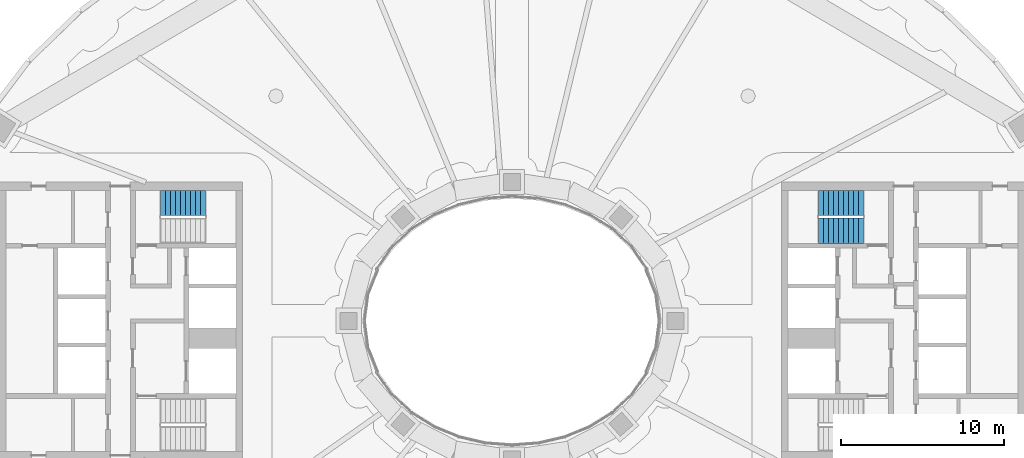
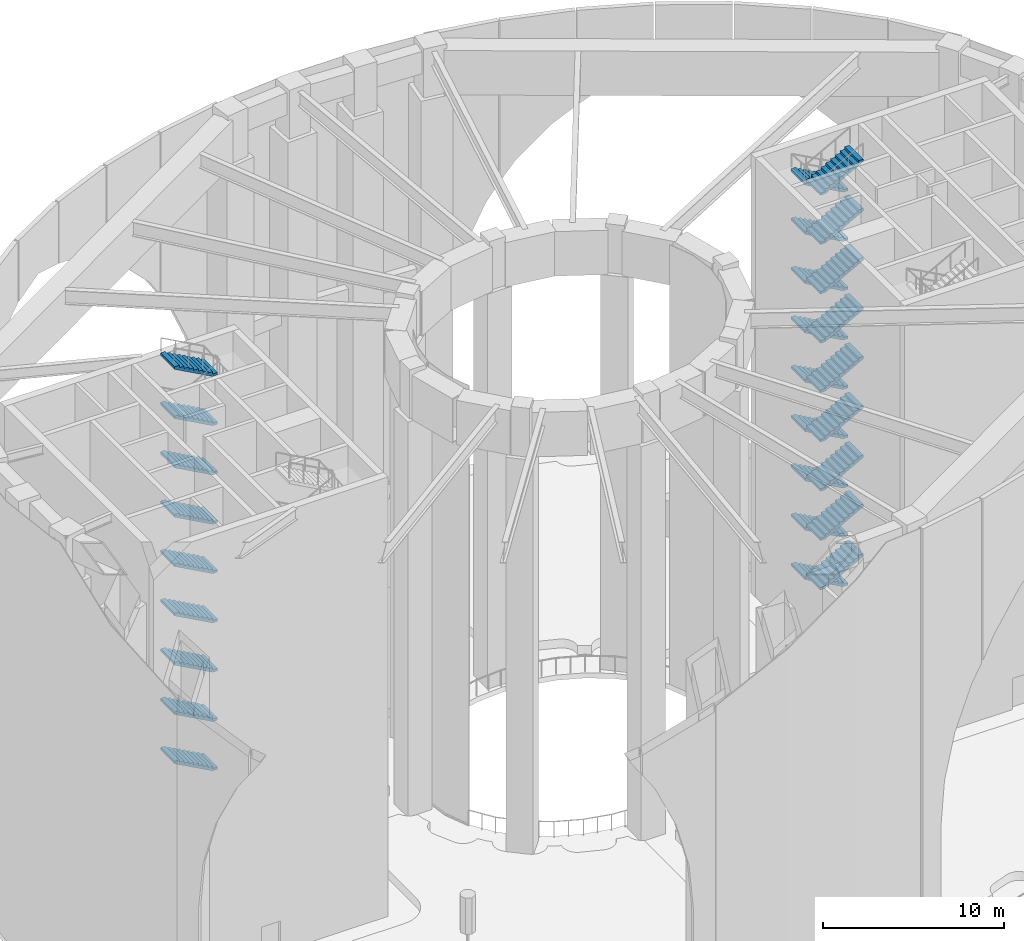
# One storey, part 7 of 26: 27 stair flights, 2 elements without a shape of their own.
"""IFC4 building model written with IfcOpenShell, lengths in metres."""

from ifc_helpers import new_model, si_unit, direction, frame, origin, place, context, subcontext, project, spatial, polyline, outline, extrude, material, type_object, element, aggregate, save


model = new_model("IFC4")

# Units and contexts
model_context = context("Model", 3, precision=1e-05, world=origin(), true_north=direction((0.0, 1.0)))
body_context = subcontext(model_context, "Body", "Model", "MODEL_VIEW")
ifc_project = project(units=[si_unit("LENGTHUNIT", "METRE"), si_unit("AREAUNIT", "SQUARE_METRE"), si_unit("VOLUMEUNIT", "CUBIC_METRE"), si_unit("PLANEANGLEUNIT", "RADIAN"), si_unit("MASSUNIT", "GRAM", prefix="KILO")], contexts=[model_context])

# Site, building, storey
site_placement = place(None, origin())
site = spatial("IfcSite", under=ifc_project, at=site_placement, CompositionType="ELEMENT")
building_placement = place(site_placement, origin())
building = spatial("IfcBuilding", under=site, at=building_placement, Name="Noorbagh Ring Tower", CompositionType="ELEMENT")
storey_placement = place(building_placement, frame((0.0, 0.0, 203.5)))
storey = spatial("IfcBuildingStorey", under=building, at=storey_placement, Name="L47", CompositionType="ELEMENT", Elevation=203.5)

# Stair, stair flights
ifc_material_1 = material(Name="Concrete C40/50", Category="concrete")
stair_type = type_object("IfcStairType", Name="CORE-STAIR", PredefinedType="HALF_TURN_STAIR", material=ifc_material_1)
stair_1_placement = place(storey_placement, origin())
stair_1 = element("IfcStair", 1, at=stair_1_placement, inside=storey, type_object=stair_type, Name="L47 Exit stair ST1", PredefinedType="HALF_TURN_STAIR")
ifc_material_2 = material(Name="Concrete C40/50", Category="concrete")
stair_flight_type = type_object("IfcStairFlightType", Name="CORE-STAIR-FLIGHT", PredefinedType="STRAIGHT", material=ifc_material_2)
stair_flight_1_placement = place(storey_placement, frame((-18.784912109375, 7.22509765625, 1.666748046875), z_axis=(0.0, 0.0, 1.0), x_axis=(-1.0, 0.0, 0.0)))
stair_flight_1 = element("IfcStairFlight", 2, at=stair_flight_1_placement, type_object=stair_flight_type, Name="ST1 flight 2", NumberOfRisers=10, NumberOfTreads=9, PredefinedType="STRAIGHT", RiserHeight=0.166666667, TreadLength=0.305, context=body_context, shape_type="SweptSolid", body=[
    extrude(outline(polyline([(0.0, 0.0), (0.0, 0.166748046875), (0.304931640625, 0.166748046875), (0.304931640625, 0.333251953125), (0.610107421875, 0.333251953125), (0.610107421875, 0.5), (0.9150390625, 0.5), (0.9150390625, 0.666748046875), (1.219970703125, 0.666748046875), (1.219970703125, 0.833251953125), (1.52490234375, 0.833251953125), (1.52490234375, 1.0), (1.830078125, 1.0), (1.830078125, 1.166748046875), (2.135009765625, 1.166748046875), (2.135009765625, 1.333251953125), (2.43994140625, 1.333251953125), (2.43994140625, 1.5), (2.7451171875, 1.5), (2.7451171875, 1.666748046875), (2.7451171875, 1.3291015625), (0.3125, 0.0), (0.0, 0.0)])), frame((0.0, 0.77490234375, 0.0), z_axis=(0.0, -1.0, 0.0), x_axis=(1.0, 0.0, 0.0)), (0.0, 0.0, 1.0), 1.550048828125),
])
stair_flight_2_placement = place(storey_placement, frame((-18.784912109375, 7.22509765625, 5.0), z_axis=(0.0, 0.0, 1.0), x_axis=(-1.0, 0.0, 0.0)))
stair_flight_2 = element("IfcStairFlight", 3, at=stair_flight_2_placement, type_object=stair_flight_type, Name="ST1 flight 4", NumberOfRisers=10, NumberOfTreads=9, PredefinedType="STRAIGHT", RiserHeight=0.166666667, TreadLength=0.305, context=body_context, shape_type="SweptSolid", body=[
    extrude(outline(polyline([(0.0, 0.0), (0.0, 0.166748046875), (0.304931640625, 0.166748046875), (0.304931640625, 0.333251953125), (0.610107421875, 0.333251953125), (0.610107421875, 0.5), (0.9150390625, 0.5), (0.9150390625, 0.666748046875), (1.219970703125, 0.666748046875), (1.219970703125, 0.833251953125), (1.52490234375, 0.833251953125), (1.52490234375, 1.0), (1.830078125, 1.0), (1.830078125, 1.166748046875), (2.135009765625, 1.166748046875), (2.135009765625, 1.333251953125), (2.43994140625, 1.333251953125), (2.43994140625, 1.5), (2.7451171875, 1.5), (2.7451171875, 1.666748046875), (2.7451171875, 1.3291015625), (0.3125, 0.0), (0.0, 0.0)])), frame((0.0, 0.77490234375, 0.0), z_axis=(0.0, -1.0, 0.0), x_axis=(1.0, 0.0, 0.0)), (0.0, 0.0, 1.0), 1.550048828125),
])
stair_flight_3_placement = place(storey_placement, frame((-18.784912109375, 7.22509765625, 8.333251953125), z_axis=(0.0, 0.0, 1.0), x_axis=(-1.0, 0.0, 0.0)))
stair_flight_3 = element("IfcStairFlight", 4, at=stair_flight_3_placement, type_object=stair_flight_type, Name="ST1 flight 6", NumberOfRisers=10, NumberOfTreads=9, PredefinedType="STRAIGHT", RiserHeight=0.166666667, TreadLength=0.305, context=body_context, shape_type="SweptSolid", body=[
    extrude(outline(polyline([(0.0, 0.0), (0.0, 0.166748046875), (0.304931640625, 0.166748046875), (0.304931640625, 0.333251953125), (0.610107421875, 0.333251953125), (0.610107421875, 0.5), (0.9150390625, 0.5), (0.9150390625, 0.666748046875), (1.219970703125, 0.666748046875), (1.219970703125, 0.833251953125), (1.52490234375, 0.833251953125), (1.52490234375, 1.0), (1.830078125, 1.0), (1.830078125, 1.166748046875), (2.135009765625, 1.166748046875), (2.135009765625, 1.333251953125), (2.43994140625, 1.333251953125), (2.43994140625, 1.5), (2.7451171875, 1.5), (2.7451171875, 1.666748046875), (2.7451171875, 1.3291015625), (0.3125, 0.0), (0.0, 0.0)])), frame((0.0, 0.77490234375, 0.0), z_axis=(0.0, -1.0, 0.0), x_axis=(1.0, 0.0, 0.0)), (0.0, 0.0, 1.0), 1.550048828125),
])
stair_flight_4_placement = place(storey_placement, frame((-18.784912109375, 7.22509765625, 11.666748046875), z_axis=(0.0, 0.0, 1.0), x_axis=(-1.0, 0.0, 0.0)))
stair_flight_4 = element("IfcStairFlight", 5, at=stair_flight_4_placement, type_object=stair_flight_type, Name="ST1 flight 8", NumberOfRisers=10, NumberOfTreads=9, PredefinedType="STRAIGHT", RiserHeight=0.166666667, TreadLength=0.305, context=body_context, shape_type="SweptSolid", body=[
    extrude(outline(polyline([(0.0, 0.0), (0.0, 0.166748046875), (0.304931640625, 0.166748046875), (0.304931640625, 0.333251953125), (0.610107421875, 0.333251953125), (0.610107421875, 0.5), (0.9150390625, 0.5), (0.9150390625, 0.666748046875), (1.219970703125, 0.666748046875), (1.219970703125, 0.833251953125), (1.52490234375, 0.833251953125), (1.52490234375, 1.0), (1.830078125, 1.0), (1.830078125, 1.166748046875), (2.135009765625, 1.166748046875), (2.135009765625, 1.333251953125), (2.43994140625, 1.333251953125), (2.43994140625, 1.5), (2.7451171875, 1.5), (2.7451171875, 1.666748046875), (2.7451171875, 1.3291015625), (0.3125, 0.0), (0.0, 0.0)])), frame((0.0, 0.77490234375, 0.0), z_axis=(0.0, -1.0, 0.0), x_axis=(1.0, 0.0, 0.0)), (0.0, 0.0, 1.0), 1.550048828125),
])
stair_flight_5_placement = place(storey_placement, frame((-18.784912109375, 7.22509765625, 15.0), z_axis=(0.0, 0.0, 1.0), x_axis=(-1.0, 0.0, 0.0)))
stair_flight_5 = element("IfcStairFlight", 6, at=stair_flight_5_placement, type_object=stair_flight_type, Name="ST1 flight 10", NumberOfRisers=10, NumberOfTreads=9, PredefinedType="STRAIGHT", RiserHeight=0.166666667, TreadLength=0.305, context=body_context, shape_type="SweptSolid", body=[
    extrude(outline(polyline([(0.0, 0.0), (0.0, 0.166748046875), (0.304931640625, 0.166748046875), (0.304931640625, 0.333251953125), (0.610107421875, 0.333251953125), (0.610107421875, 0.5), (0.9150390625, 0.5), (0.9150390625, 0.666748046875), (1.219970703125, 0.666748046875), (1.219970703125, 0.833251953125), (1.52490234375, 0.833251953125), (1.52490234375, 1.0), (1.830078125, 1.0), (1.830078125, 1.166748046875), (2.135009765625, 1.166748046875), (2.135009765625, 1.333251953125), (2.43994140625, 1.333251953125), (2.43994140625, 1.5), (2.7451171875, 1.5), (2.7451171875, 1.666748046875), (2.7451171875, 1.3291015625), (0.3125, 0.0), (0.0, 0.0)])), frame((0.0, 0.77490234375, 0.0), z_axis=(0.0, -1.0, 0.0), x_axis=(1.0, 0.0, 0.0)), (0.0, 0.0, 1.0), 1.550048828125),
])
stair_flight_6_placement = place(storey_placement, frame((-18.784912109375, 7.22509765625, 18.333251953125), z_axis=(0.0, 0.0, 1.0), x_axis=(-1.0, 0.0, 0.0)))
stair_flight_6 = element("IfcStairFlight", 7, at=stair_flight_6_placement, type_object=stair_flight_type, Name="ST1 flight 12", NumberOfRisers=10, NumberOfTreads=9, PredefinedType="STRAIGHT", RiserHeight=0.166666667, TreadLength=0.305, context=body_context, shape_type="SweptSolid", body=[
    extrude(outline(polyline([(0.0, 0.0), (0.0, 0.166748046875), (0.304931640625, 0.166748046875), (0.304931640625, 0.333251953125), (0.610107421875, 0.333251953125), (0.610107421875, 0.5), (0.9150390625, 0.5), (0.9150390625, 0.666748046875), (1.219970703125, 0.666748046875), (1.219970703125, 0.833251953125), (1.52490234375, 0.833251953125), (1.52490234375, 1.0), (1.830078125, 1.0), (1.830078125, 1.166748046875), (2.135009765625, 1.166748046875), (2.135009765625, 1.333251953125), (2.43994140625, 1.333251953125), (2.43994140625, 1.5), (2.7451171875, 1.5), (2.7451171875, 1.666748046875), (2.7451171875, 1.3291015625), (0.3125, 0.0), (0.0, 0.0)])), frame((0.0, 0.77490234375, 0.0), z_axis=(0.0, -1.0, 0.0), x_axis=(1.0, 0.0, 0.0)), (0.0, 0.0, 1.0), 1.550048828125),
])
stair_flight_7_placement = place(storey_placement, frame((-18.784912109375, 7.22509765625, 21.666748046875), z_axis=(0.0, 0.0, 1.0), x_axis=(-1.0, 0.0, 0.0)))
stair_flight_7 = element("IfcStairFlight", 8, at=stair_flight_7_placement, type_object=stair_flight_type, Name="ST1 flight 14", NumberOfRisers=10, NumberOfTreads=9, PredefinedType="STRAIGHT", RiserHeight=0.166666667, TreadLength=0.305, context=body_context, shape_type="SweptSolid", body=[
    extrude(outline(polyline([(0.0, 0.0), (0.0, 0.166748046875), (0.304931640625, 0.166748046875), (0.304931640625, 0.333251953125), (0.610107421875, 0.333251953125), (0.610107421875, 0.5), (0.9150390625, 0.5), (0.9150390625, 0.666748046875), (1.219970703125, 0.666748046875), (1.219970703125, 0.833251953125), (1.52490234375, 0.833251953125), (1.52490234375, 1.0), (1.830078125, 1.0), (1.830078125, 1.166748046875), (2.135009765625, 1.166748046875), (2.135009765625, 1.333251953125), (2.43994140625, 1.333251953125), (2.43994140625, 1.5), (2.7451171875, 1.5), (2.7451171875, 1.666748046875), (2.7451171875, 1.3291015625), (0.3125, 0.0), (0.0, 0.0)])), frame((0.0, 0.77490234375, 0.0), z_axis=(0.0, -1.0, 0.0), x_axis=(1.0, 0.0, 0.0)), (0.0, 0.0, 1.0), 1.550048828125),
])
stair_flight_8_placement = place(storey_placement, frame((-18.784912109375, 7.22509765625, 25.0), z_axis=(0.0, 0.0, 1.0), x_axis=(-1.0, 0.0, 0.0)))
stair_flight_8 = element("IfcStairFlight", 9, at=stair_flight_8_placement, type_object=stair_flight_type, Name="ST1 flight 16", NumberOfRisers=10, NumberOfTreads=9, PredefinedType="STRAIGHT", RiserHeight=0.166666667, TreadLength=0.305, context=body_context, shape_type="SweptSolid", body=[
    extrude(outline(polyline([(0.0, 0.0), (0.0, 0.166748046875), (0.304931640625, 0.166748046875), (0.304931640625, 0.333251953125), (0.610107421875, 0.333251953125), (0.610107421875, 0.5), (0.9150390625, 0.5), (0.9150390625, 0.666748046875), (1.219970703125, 0.666748046875), (1.219970703125, 0.833251953125), (1.52490234375, 0.833251953125), (1.52490234375, 1.0), (1.830078125, 1.0), (1.830078125, 1.166748046875), (2.135009765625, 1.166748046875), (2.135009765625, 1.333251953125), (2.43994140625, 1.333251953125), (2.43994140625, 1.5), (2.7451171875, 1.5), (2.7451171875, 1.666748046875), (2.7451171875, 1.3291015625), (0.3125, 0.0), (0.0, 0.0)])), frame((0.0, 0.77490234375, 0.0), z_axis=(0.0, -1.0, 0.0), x_axis=(1.0, 0.0, 0.0)), (0.0, 0.0, 1.0), 1.550048828125),
])
stair_flight_9_placement = place(storey_placement, frame((-18.784912109375, 7.22509765625, 28.333251953125), z_axis=(0.0, 0.0, 1.0), x_axis=(-1.0, 0.0, 0.0)))
stair_flight_9 = element("IfcStairFlight", 10, at=stair_flight_9_placement, type_object=stair_flight_type, Name="ST1 flight 18", NumberOfRisers=10, NumberOfTreads=9, PredefinedType="STRAIGHT", RiserHeight=0.166666667, TreadLength=0.305, context=body_context, shape_type="SweptSolid", body=[
    extrude(outline(polyline([(0.0, 0.0), (0.0, 0.166748046875), (0.304931640625, 0.166748046875), (0.304931640625, 0.333251953125), (0.610107421875, 0.333251953125), (0.610107421875, 0.5), (0.9150390625, 0.5), (0.9150390625, 0.666748046875), (1.219970703125, 0.666748046875), (1.219970703125, 0.833251953125), (1.52490234375, 0.833251953125), (1.52490234375, 1.0), (1.830078125, 1.0), (1.830078125, 1.166748046875), (2.135009765625, 1.166748046875), (2.135009765625, 1.333251953125), (2.43994140625, 1.333251953125), (2.43994140625, 1.5), (2.7451171875, 1.5), (2.7451171875, 1.666748046875), (2.7451171875, 1.3291015625), (0.3125, 0.0), (0.0, 0.0)])), frame((0.0, 0.77490234375, 0.0), z_axis=(0.0, -1.0, 0.0), x_axis=(1.0, 0.0, 0.0)), (0.0, 0.0, 1.0), 1.550048828125),
])
aggregate(stair_1, [stair_flight_1, stair_flight_2, stair_flight_3, stair_flight_4, stair_flight_5, stair_flight_6, stair_flight_7, stair_flight_8, stair_flight_9])

stair_2_placement = place(storey_placement, origin())
stair_2 = element("IfcStair", 11, at=stair_2_placement, inside=storey, type_object=stair_type, Name="L47 Exit stair ST3", PredefinedType="HALF_TURN_STAIR")
stair_flight_10_placement = place(storey_placement, frame((21.530029296875, 7.22509765625, 0.0), z_axis=(0.0, 0.0, 1.0), x_axis=(-1.0, 0.0, 0.0)))
stair_flight_10 = element("IfcStairFlight", 12, at=stair_flight_10_placement, type_object=stair_flight_type, Name="ST3 flight 1", NumberOfRisers=10, NumberOfTreads=9, PredefinedType="STRAIGHT", RiserHeight=0.166666667, TreadLength=0.305, context=body_context, shape_type="SweptSolid", body=[
    extrude(outline(polyline([(0.0, 0.0), (0.0, 0.166748046875), (0.304931640625, 0.166748046875), (0.304931640625, 0.333251953125), (0.610107421875, 0.333251953125), (0.610107421875, 0.5), (0.9150390625, 0.5), (0.9150390625, 0.666748046875), (1.219970703125, 0.666748046875), (1.219970703125, 0.833251953125), (1.52490234375, 0.833251953125), (1.52490234375, 1.0), (1.830078125, 1.0), (1.830078125, 1.166748046875), (2.135009765625, 1.166748046875), (2.135009765625, 1.333251953125), (2.43994140625, 1.333251953125), (2.43994140625, 1.5), (2.7451171875, 1.5), (2.7451171875, 1.666748046875), (2.7451171875, 1.3291015625), (0.3125, 0.0), (0.0, 0.0)])), frame((0.0, 0.77490234375, 0.0), z_axis=(0.0, -1.0, 0.0), x_axis=(1.0, 0.0, 0.0)), (0.0, 0.0, 1.0), 1.550048828125),
])
stair_flight_11_placement = place(storey_placement, frame((18.784912109375, 5.52490234375, 1.666748046875), z_axis=(0.0, 0.0, 1.0), x_axis=(1.0, 0.0, 0.0)))
stair_flight_11 = element("IfcStairFlight", 13, at=stair_flight_11_placement, type_object=stair_flight_type, Name="ST3 flight 2", NumberOfRisers=10, NumberOfTreads=9, PredefinedType="STRAIGHT", RiserHeight=0.166666667, TreadLength=0.305, context=body_context, shape_type="SweptSolid", body=[
    extrude(outline(polyline([(0.0, 0.0), (0.0, 0.166748046875), (0.304931640625, 0.166748046875), (0.304931640625, 0.333251953125), (0.610107421875, 0.333251953125), (0.610107421875, 0.5), (0.9150390625, 0.5), (0.9150390625, 0.666748046875), (1.219970703125, 0.666748046875), (1.219970703125, 0.833251953125), (1.52490234375, 0.833251953125), (1.52490234375, 1.0), (1.830078125, 1.0), (1.830078125, 1.166748046875), (2.135009765625, 1.166748046875), (2.135009765625, 1.333251953125), (2.43994140625, 1.333251953125), (2.43994140625, 1.5), (2.7451171875, 1.5), (2.7451171875, 1.666748046875), (2.7451171875, 1.3291015625), (0.3125, 0.0), (0.0, 0.0)])), frame((0.0, 0.77490234375, 0.0), z_axis=(0.0, -1.0, 0.0), x_axis=(1.0, 0.0, 0.0)), (0.0, 0.0, 1.0), 1.550048828125),
])
stair_flight_12_placement = place(storey_placement, frame((21.530029296875, 7.22509765625, 3.333251953125), z_axis=(0.0, 0.0, 1.0), x_axis=(-1.0, 0.0, 0.0)))
stair_flight_12 = element("IfcStairFlight", 14, at=stair_flight_12_placement, type_object=stair_flight_type, Name="ST3 flight 3", NumberOfRisers=10, NumberOfTreads=9, PredefinedType="STRAIGHT", RiserHeight=0.166666667, TreadLength=0.305, context=body_context, shape_type="SweptSolid", body=[
    extrude(outline(polyline([(0.0, 0.0), (0.0, 0.166748046875), (0.304931640625, 0.166748046875), (0.304931640625, 0.333251953125), (0.610107421875, 0.333251953125), (0.610107421875, 0.5), (0.9150390625, 0.5), (0.9150390625, 0.666748046875), (1.219970703125, 0.666748046875), (1.219970703125, 0.833251953125), (1.52490234375, 0.833251953125), (1.52490234375, 1.0), (1.830078125, 1.0), (1.830078125, 1.166748046875), (2.135009765625, 1.166748046875), (2.135009765625, 1.333251953125), (2.43994140625, 1.333251953125), (2.43994140625, 1.5), (2.7451171875, 1.5), (2.7451171875, 1.666748046875), (2.7451171875, 1.3291015625), (0.3125, 0.0), (0.0, 0.0)])), frame((0.0, 0.77490234375, 0.0), z_axis=(0.0, -1.0, 0.0), x_axis=(1.0, 0.0, 0.0)), (0.0, 0.0, 1.0), 1.550048828125),
])
stair_flight_13_placement = place(storey_placement, frame((18.784912109375, 5.52490234375, 5.0), z_axis=(0.0, 0.0, 1.0), x_axis=(1.0, 0.0, 0.0)))
stair_flight_13 = element("IfcStairFlight", 15, at=stair_flight_13_placement, type_object=stair_flight_type, Name="ST3 flight 4", NumberOfRisers=10, NumberOfTreads=9, PredefinedType="STRAIGHT", RiserHeight=0.166666667, TreadLength=0.305, context=body_context, shape_type="SweptSolid", body=[
    extrude(outline(polyline([(0.0, 0.0), (0.0, 0.166748046875), (0.304931640625, 0.166748046875), (0.304931640625, 0.333251953125), (0.610107421875, 0.333251953125), (0.610107421875, 0.5), (0.9150390625, 0.5), (0.9150390625, 0.666748046875), (1.219970703125, 0.666748046875), (1.219970703125, 0.833251953125), (1.52490234375, 0.833251953125), (1.52490234375, 1.0), (1.830078125, 1.0), (1.830078125, 1.166748046875), (2.135009765625, 1.166748046875), (2.135009765625, 1.333251953125), (2.43994140625, 1.333251953125), (2.43994140625, 1.5), (2.7451171875, 1.5), (2.7451171875, 1.666748046875), (2.7451171875, 1.3291015625), (0.3125, 0.0), (0.0, 0.0)])), frame((0.0, 0.77490234375, 0.0), z_axis=(0.0, -1.0, 0.0), x_axis=(1.0, 0.0, 0.0)), (0.0, 0.0, 1.0), 1.550048828125),
])
stair_flight_14_placement = place(storey_placement, frame((21.530029296875, 7.22509765625, 6.666748046875), z_axis=(0.0, 0.0, 1.0), x_axis=(-1.0, 0.0, 0.0)))
stair_flight_14 = element("IfcStairFlight", 16, at=stair_flight_14_placement, type_object=stair_flight_type, Name="ST3 flight 5", NumberOfRisers=10, NumberOfTreads=9, PredefinedType="STRAIGHT", RiserHeight=0.166666667, TreadLength=0.305, context=body_context, shape_type="SweptSolid", body=[
    extrude(outline(polyline([(0.0, 0.0), (0.0, 0.166748046875), (0.304931640625, 0.166748046875), (0.304931640625, 0.333251953125), (0.610107421875, 0.333251953125), (0.610107421875, 0.5), (0.9150390625, 0.5), (0.9150390625, 0.666748046875), (1.219970703125, 0.666748046875), (1.219970703125, 0.833251953125), (1.52490234375, 0.833251953125), (1.52490234375, 1.0), (1.830078125, 1.0), (1.830078125, 1.166748046875), (2.135009765625, 1.166748046875), (2.135009765625, 1.333251953125), (2.43994140625, 1.333251953125), (2.43994140625, 1.5), (2.7451171875, 1.5), (2.7451171875, 1.666748046875), (2.7451171875, 1.3291015625), (0.3125, 0.0), (0.0, 0.0)])), frame((0.0, 0.77490234375, 0.0), z_axis=(0.0, -1.0, 0.0), x_axis=(1.0, 0.0, 0.0)), (0.0, 0.0, 1.0), 1.550048828125),
])
stair_flight_15_placement = place(storey_placement, frame((18.784912109375, 5.52490234375, 8.333251953125), z_axis=(0.0, 0.0, 1.0), x_axis=(1.0, 0.0, 0.0)))
stair_flight_15 = element("IfcStairFlight", 17, at=stair_flight_15_placement, type_object=stair_flight_type, Name="ST3 flight 6", NumberOfRisers=10, NumberOfTreads=9, PredefinedType="STRAIGHT", RiserHeight=0.166666667, TreadLength=0.305, context=body_context, shape_type="SweptSolid", body=[
    extrude(outline(polyline([(0.0, 0.0), (0.0, 0.166748046875), (0.304931640625, 0.166748046875), (0.304931640625, 0.333251953125), (0.610107421875, 0.333251953125), (0.610107421875, 0.5), (0.9150390625, 0.5), (0.9150390625, 0.666748046875), (1.219970703125, 0.666748046875), (1.219970703125, 0.833251953125), (1.52490234375, 0.833251953125), (1.52490234375, 1.0), (1.830078125, 1.0), (1.830078125, 1.166748046875), (2.135009765625, 1.166748046875), (2.135009765625, 1.333251953125), (2.43994140625, 1.333251953125), (2.43994140625, 1.5), (2.7451171875, 1.5), (2.7451171875, 1.666748046875), (2.7451171875, 1.3291015625), (0.3125, 0.0), (0.0, 0.0)])), frame((0.0, 0.77490234375, 0.0), z_axis=(0.0, -1.0, 0.0), x_axis=(1.0, 0.0, 0.0)), (0.0, 0.0, 1.0), 1.550048828125),
])
stair_flight_16_placement = place(storey_placement, frame((21.530029296875, 7.22509765625, 10.0), z_axis=(0.0, 0.0, 1.0), x_axis=(-1.0, 0.0, 0.0)))
stair_flight_16 = element("IfcStairFlight", 18, at=stair_flight_16_placement, type_object=stair_flight_type, Name="ST3 flight 7", NumberOfRisers=10, NumberOfTreads=9, PredefinedType="STRAIGHT", RiserHeight=0.166666667, TreadLength=0.305, context=body_context, shape_type="SweptSolid", body=[
    extrude(outline(polyline([(0.0, 0.0), (0.0, 0.166748046875), (0.304931640625, 0.166748046875), (0.304931640625, 0.333251953125), (0.610107421875, 0.333251953125), (0.610107421875, 0.5), (0.9150390625, 0.5), (0.9150390625, 0.666748046875), (1.219970703125, 0.666748046875), (1.219970703125, 0.833251953125), (1.52490234375, 0.833251953125), (1.52490234375, 1.0), (1.830078125, 1.0), (1.830078125, 1.166748046875), (2.135009765625, 1.166748046875), (2.135009765625, 1.333251953125), (2.43994140625, 1.333251953125), (2.43994140625, 1.5), (2.7451171875, 1.5), (2.7451171875, 1.666748046875), (2.7451171875, 1.3291015625), (0.3125, 0.0), (0.0, 0.0)])), frame((0.0, 0.77490234375, 0.0), z_axis=(0.0, -1.0, 0.0), x_axis=(1.0, 0.0, 0.0)), (0.0, 0.0, 1.0), 1.550048828125),
])
stair_flight_17_placement = place(storey_placement, frame((18.784912109375, 5.52490234375, 11.666748046875), z_axis=(0.0, 0.0, 1.0), x_axis=(1.0, 0.0, 0.0)))
stair_flight_17 = element("IfcStairFlight", 19, at=stair_flight_17_placement, type_object=stair_flight_type, Name="ST3 flight 8", NumberOfRisers=10, NumberOfTreads=9, PredefinedType="STRAIGHT", RiserHeight=0.166666667, TreadLength=0.305, context=body_context, shape_type="SweptSolid", body=[
    extrude(outline(polyline([(0.0, 0.0), (0.0, 0.166748046875), (0.304931640625, 0.166748046875), (0.304931640625, 0.333251953125), (0.610107421875, 0.333251953125), (0.610107421875, 0.5), (0.9150390625, 0.5), (0.9150390625, 0.666748046875), (1.219970703125, 0.666748046875), (1.219970703125, 0.833251953125), (1.52490234375, 0.833251953125), (1.52490234375, 1.0), (1.830078125, 1.0), (1.830078125, 1.166748046875), (2.135009765625, 1.166748046875), (2.135009765625, 1.333251953125), (2.43994140625, 1.333251953125), (2.43994140625, 1.5), (2.7451171875, 1.5), (2.7451171875, 1.666748046875), (2.7451171875, 1.3291015625), (0.3125, 0.0), (0.0, 0.0)])), frame((0.0, 0.77490234375, 0.0), z_axis=(0.0, -1.0, 0.0), x_axis=(1.0, 0.0, 0.0)), (0.0, 0.0, 1.0), 1.550048828125),
])
stair_flight_18_placement = place(storey_placement, frame((21.530029296875, 7.22509765625, 13.333251953125), z_axis=(0.0, 0.0, 1.0), x_axis=(-1.0, 0.0, 0.0)))
stair_flight_18 = element("IfcStairFlight", 20, at=stair_flight_18_placement, type_object=stair_flight_type, Name="ST3 flight 9", NumberOfRisers=10, NumberOfTreads=9, PredefinedType="STRAIGHT", RiserHeight=0.166666667, TreadLength=0.305, context=body_context, shape_type="SweptSolid", body=[
    extrude(outline(polyline([(0.0, 0.0), (0.0, 0.166748046875), (0.304931640625, 0.166748046875), (0.304931640625, 0.333251953125), (0.610107421875, 0.333251953125), (0.610107421875, 0.5), (0.9150390625, 0.5), (0.9150390625, 0.666748046875), (1.219970703125, 0.666748046875), (1.219970703125, 0.833251953125), (1.52490234375, 0.833251953125), (1.52490234375, 1.0), (1.830078125, 1.0), (1.830078125, 1.166748046875), (2.135009765625, 1.166748046875), (2.135009765625, 1.333251953125), (2.43994140625, 1.333251953125), (2.43994140625, 1.5), (2.7451171875, 1.5), (2.7451171875, 1.666748046875), (2.7451171875, 1.3291015625), (0.3125, 0.0), (0.0, 0.0)])), frame((0.0, 0.77490234375, 0.0), z_axis=(0.0, -1.0, 0.0), x_axis=(1.0, 0.0, 0.0)), (0.0, 0.0, 1.0), 1.550048828125),
])
stair_flight_19_placement = place(storey_placement, frame((18.784912109375, 5.52490234375, 15.0), z_axis=(0.0, 0.0, 1.0), x_axis=(1.0, 0.0, 0.0)))
stair_flight_19 = element("IfcStairFlight", 21, at=stair_flight_19_placement, type_object=stair_flight_type, Name="ST3 flight 10", NumberOfRisers=10, NumberOfTreads=9, PredefinedType="STRAIGHT", RiserHeight=0.166666667, TreadLength=0.305, context=body_context, shape_type="SweptSolid", body=[
    extrude(outline(polyline([(0.0, 0.0), (0.0, 0.166748046875), (0.304931640625, 0.166748046875), (0.304931640625, 0.333251953125), (0.610107421875, 0.333251953125), (0.610107421875, 0.5), (0.9150390625, 0.5), (0.9150390625, 0.666748046875), (1.219970703125, 0.666748046875), (1.219970703125, 0.833251953125), (1.52490234375, 0.833251953125), (1.52490234375, 1.0), (1.830078125, 1.0), (1.830078125, 1.166748046875), (2.135009765625, 1.166748046875), (2.135009765625, 1.333251953125), (2.43994140625, 1.333251953125), (2.43994140625, 1.5), (2.7451171875, 1.5), (2.7451171875, 1.666748046875), (2.7451171875, 1.3291015625), (0.3125, 0.0), (0.0, 0.0)])), frame((0.0, 0.77490234375, 0.0), z_axis=(0.0, -1.0, 0.0), x_axis=(1.0, 0.0, 0.0)), (0.0, 0.0, 1.0), 1.550048828125),
])
stair_flight_20_placement = place(storey_placement, frame((21.530029296875, 7.22509765625, 16.666748046875), z_axis=(0.0, 0.0, 1.0), x_axis=(-1.0, 0.0, 0.0)))
stair_flight_20 = element("IfcStairFlight", 22, at=stair_flight_20_placement, type_object=stair_flight_type, Name="ST3 flight 11", NumberOfRisers=10, NumberOfTreads=9, PredefinedType="STRAIGHT", RiserHeight=0.166666667, TreadLength=0.305, context=body_context, shape_type="SweptSolid", body=[
    extrude(outline(polyline([(0.0, 0.0), (0.0, 0.166748046875), (0.304931640625, 0.166748046875), (0.304931640625, 0.333251953125), (0.610107421875, 0.333251953125), (0.610107421875, 0.5), (0.9150390625, 0.5), (0.9150390625, 0.666748046875), (1.219970703125, 0.666748046875), (1.219970703125, 0.833251953125), (1.52490234375, 0.833251953125), (1.52490234375, 1.0), (1.830078125, 1.0), (1.830078125, 1.166748046875), (2.135009765625, 1.166748046875), (2.135009765625, 1.333251953125), (2.43994140625, 1.333251953125), (2.43994140625, 1.5), (2.7451171875, 1.5), (2.7451171875, 1.666748046875), (2.7451171875, 1.3291015625), (0.3125, 0.0), (0.0, 0.0)])), frame((0.0, 0.77490234375, 0.0), z_axis=(0.0, -1.0, 0.0), x_axis=(1.0, 0.0, 0.0)), (0.0, 0.0, 1.0), 1.550048828125),
])
stair_flight_21_placement = place(storey_placement, frame((18.784912109375, 5.52490234375, 18.333251953125), z_axis=(0.0, 0.0, 1.0), x_axis=(1.0, 0.0, 0.0)))
stair_flight_21 = element("IfcStairFlight", 23, at=stair_flight_21_placement, type_object=stair_flight_type, Name="ST3 flight 12", NumberOfRisers=10, NumberOfTreads=9, PredefinedType="STRAIGHT", RiserHeight=0.166666667, TreadLength=0.305, context=body_context, shape_type="SweptSolid", body=[
    extrude(outline(polyline([(0.0, 0.0), (0.0, 0.166748046875), (0.304931640625, 0.166748046875), (0.304931640625, 0.333251953125), (0.610107421875, 0.333251953125), (0.610107421875, 0.5), (0.9150390625, 0.5), (0.9150390625, 0.666748046875), (1.219970703125, 0.666748046875), (1.219970703125, 0.833251953125), (1.52490234375, 0.833251953125), (1.52490234375, 1.0), (1.830078125, 1.0), (1.830078125, 1.166748046875), (2.135009765625, 1.166748046875), (2.135009765625, 1.333251953125), (2.43994140625, 1.333251953125), (2.43994140625, 1.5), (2.7451171875, 1.5), (2.7451171875, 1.666748046875), (2.7451171875, 1.3291015625), (0.3125, 0.0), (0.0, 0.0)])), frame((0.0, 0.77490234375, 0.0), z_axis=(0.0, -1.0, 0.0), x_axis=(1.0, 0.0, 0.0)), (0.0, 0.0, 1.0), 1.550048828125),
])
stair_flight_22_placement = place(storey_placement, frame((21.530029296875, 7.22509765625, 20.0), z_axis=(0.0, 0.0, 1.0), x_axis=(-1.0, 0.0, 0.0)))
stair_flight_22 = element("IfcStairFlight", 24, at=stair_flight_22_placement, type_object=stair_flight_type, Name="ST3 flight 13", NumberOfRisers=10, NumberOfTreads=9, PredefinedType="STRAIGHT", RiserHeight=0.166666667, TreadLength=0.305, context=body_context, shape_type="SweptSolid", body=[
    extrude(outline(polyline([(0.0, 0.0), (0.0, 0.166748046875), (0.304931640625, 0.166748046875), (0.304931640625, 0.333251953125), (0.610107421875, 0.333251953125), (0.610107421875, 0.5), (0.9150390625, 0.5), (0.9150390625, 0.666748046875), (1.219970703125, 0.666748046875), (1.219970703125, 0.833251953125), (1.52490234375, 0.833251953125), (1.52490234375, 1.0), (1.830078125, 1.0), (1.830078125, 1.166748046875), (2.135009765625, 1.166748046875), (2.135009765625, 1.333251953125), (2.43994140625, 1.333251953125), (2.43994140625, 1.5), (2.7451171875, 1.5), (2.7451171875, 1.666748046875), (2.7451171875, 1.3291015625), (0.3125, 0.0), (0.0, 0.0)])), frame((0.0, 0.77490234375, 0.0), z_axis=(0.0, -1.0, 0.0), x_axis=(1.0, 0.0, 0.0)), (0.0, 0.0, 1.0), 1.550048828125),
])
stair_flight_23_placement = place(storey_placement, frame((18.784912109375, 5.52490234375, 21.666748046875), z_axis=(0.0, 0.0, 1.0), x_axis=(1.0, 0.0, 0.0)))
stair_flight_23 = element("IfcStairFlight", 25, at=stair_flight_23_placement, type_object=stair_flight_type, Name="ST3 flight 14", NumberOfRisers=10, NumberOfTreads=9, PredefinedType="STRAIGHT", RiserHeight=0.166666667, TreadLength=0.305, context=body_context, shape_type="SweptSolid", body=[
    extrude(outline(polyline([(0.0, 0.0), (0.0, 0.166748046875), (0.304931640625, 0.166748046875), (0.304931640625, 0.333251953125), (0.610107421875, 0.333251953125), (0.610107421875, 0.5), (0.9150390625, 0.5), (0.9150390625, 0.666748046875), (1.219970703125, 0.666748046875), (1.219970703125, 0.833251953125), (1.52490234375, 0.833251953125), (1.52490234375, 1.0), (1.830078125, 1.0), (1.830078125, 1.166748046875), (2.135009765625, 1.166748046875), (2.135009765625, 1.333251953125), (2.43994140625, 1.333251953125), (2.43994140625, 1.5), (2.7451171875, 1.5), (2.7451171875, 1.666748046875), (2.7451171875, 1.3291015625), (0.3125, 0.0), (0.0, 0.0)])), frame((0.0, 0.77490234375, 0.0), z_axis=(0.0, -1.0, 0.0), x_axis=(1.0, 0.0, 0.0)), (0.0, 0.0, 1.0), 1.550048828125),
])
stair_flight_24_placement = place(storey_placement, frame((21.530029296875, 7.22509765625, 23.333251953125), z_axis=(0.0, 0.0, 1.0), x_axis=(-1.0, 0.0, 0.0)))
stair_flight_24 = element("IfcStairFlight", 26, at=stair_flight_24_placement, type_object=stair_flight_type, Name="ST3 flight 15", NumberOfRisers=10, NumberOfTreads=9, PredefinedType="STRAIGHT", RiserHeight=0.166666667, TreadLength=0.305, context=body_context, shape_type="SweptSolid", body=[
    extrude(outline(polyline([(0.0, 0.0), (0.0, 0.166748046875), (0.304931640625, 0.166748046875), (0.304931640625, 0.333251953125), (0.610107421875, 0.333251953125), (0.610107421875, 0.5), (0.9150390625, 0.5), (0.9150390625, 0.666748046875), (1.219970703125, 0.666748046875), (1.219970703125, 0.833251953125), (1.52490234375, 0.833251953125), (1.52490234375, 1.0), (1.830078125, 1.0), (1.830078125, 1.166748046875), (2.135009765625, 1.166748046875), (2.135009765625, 1.333251953125), (2.43994140625, 1.333251953125), (2.43994140625, 1.5), (2.7451171875, 1.5), (2.7451171875, 1.666748046875), (2.7451171875, 1.3291015625), (0.3125, 0.0), (0.0, 0.0)])), frame((0.0, 0.77490234375, 0.0), z_axis=(0.0, -1.0, 0.0), x_axis=(1.0, 0.0, 0.0)), (0.0, 0.0, 1.0), 1.550048828125),
])
stair_flight_25_placement = place(storey_placement, frame((18.784912109375, 5.52490234375, 25.0), z_axis=(0.0, 0.0, 1.0), x_axis=(1.0, 0.0, 0.0)))
stair_flight_25 = element("IfcStairFlight", 27, at=stair_flight_25_placement, type_object=stair_flight_type, Name="ST3 flight 16", NumberOfRisers=10, NumberOfTreads=9, PredefinedType="STRAIGHT", RiserHeight=0.166666667, TreadLength=0.305, context=body_context, shape_type="SweptSolid", body=[
    extrude(outline(polyline([(0.0, 0.0), (0.0, 0.166748046875), (0.304931640625, 0.166748046875), (0.304931640625, 0.333251953125), (0.610107421875, 0.333251953125), (0.610107421875, 0.5), (0.9150390625, 0.5), (0.9150390625, 0.666748046875), (1.219970703125, 0.666748046875), (1.219970703125, 0.833251953125), (1.52490234375, 0.833251953125), (1.52490234375, 1.0), (1.830078125, 1.0), (1.830078125, 1.166748046875), (2.135009765625, 1.166748046875), (2.135009765625, 1.333251953125), (2.43994140625, 1.333251953125), (2.43994140625, 1.5), (2.7451171875, 1.5), (2.7451171875, 1.666748046875), (2.7451171875, 1.3291015625), (0.3125, 0.0), (0.0, 0.0)])), frame((0.0, 0.77490234375, 0.0), z_axis=(0.0, -1.0, 0.0), x_axis=(1.0, 0.0, 0.0)), (0.0, 0.0, 1.0), 1.550048828125),
])
stair_flight_26_placement = place(storey_placement, frame((21.530029296875, 7.22509765625, 26.666748046875), z_axis=(0.0, 0.0, 1.0), x_axis=(-1.0, 0.0, 0.0)))
stair_flight_26 = element("IfcStairFlight", 28, at=stair_flight_26_placement, type_object=stair_flight_type, Name="ST3 flight 17", NumberOfRisers=10, NumberOfTreads=9, PredefinedType="STRAIGHT", RiserHeight=0.166666667, TreadLength=0.305, context=body_context, shape_type="SweptSolid", body=[
    extrude(outline(polyline([(0.0, 0.0), (0.0, 0.166748046875), (0.304931640625, 0.166748046875), (0.304931640625, 0.333251953125), (0.610107421875, 0.333251953125), (0.610107421875, 0.5), (0.9150390625, 0.5), (0.9150390625, 0.666748046875), (1.219970703125, 0.666748046875), (1.219970703125, 0.833251953125), (1.52490234375, 0.833251953125), (1.52490234375, 1.0), (1.830078125, 1.0), (1.830078125, 1.166748046875), (2.135009765625, 1.166748046875), (2.135009765625, 1.333251953125), (2.43994140625, 1.333251953125), (2.43994140625, 1.5), (2.7451171875, 1.5), (2.7451171875, 1.666748046875), (2.7451171875, 1.3291015625), (0.3125, 0.0), (0.0, 0.0)])), frame((0.0, 0.77490234375, 0.0), z_axis=(0.0, -1.0, 0.0), x_axis=(1.0, 0.0, 0.0)), (0.0, 0.0, 1.0), 1.550048828125),
])
stair_flight_27_placement = place(storey_placement, frame((18.784912109375, 5.52490234375, 28.333251953125), z_axis=(0.0, 0.0, 1.0), x_axis=(1.0, 0.0, 0.0)))
stair_flight_27 = element("IfcStairFlight", 29, at=stair_flight_27_placement, type_object=stair_flight_type, Name="ST3 flight 18", NumberOfRisers=10, NumberOfTreads=9, PredefinedType="STRAIGHT", RiserHeight=0.166666667, TreadLength=0.305, context=body_context, shape_type="SweptSolid", body=[
    extrude(outline(polyline([(0.0, 0.0), (0.0, 0.166748046875), (0.304931640625, 0.166748046875), (0.304931640625, 0.333251953125), (0.610107421875, 0.333251953125), (0.610107421875, 0.5), (0.9150390625, 0.5), (0.9150390625, 0.666748046875), (1.219970703125, 0.666748046875), (1.219970703125, 0.833251953125), (1.52490234375, 0.833251953125), (1.52490234375, 1.0), (1.830078125, 1.0), (1.830078125, 1.166748046875), (2.135009765625, 1.166748046875), (2.135009765625, 1.333251953125), (2.43994140625, 1.333251953125), (2.43994140625, 1.5), (2.7451171875, 1.5), (2.7451171875, 1.666748046875), (2.7451171875, 1.3291015625), (0.3125, 0.0), (0.0, 0.0)])), frame((0.0, 0.77490234375, 0.0), z_axis=(0.0, -1.0, 0.0), x_axis=(1.0, 0.0, 0.0)), (0.0, 0.0, 1.0), 1.550048828125),
])
aggregate(stair_2, [stair_flight_10, stair_flight_11, stair_flight_12, stair_flight_13, stair_flight_14, stair_flight_15, stair_flight_16, stair_flight_17, stair_flight_18, stair_flight_19, stair_flight_20, stair_flight_21, stair_flight_22, stair_flight_23, stair_flight_24, stair_flight_25, stair_flight_26, stair_flight_27])

save(model, "model.ifc")
